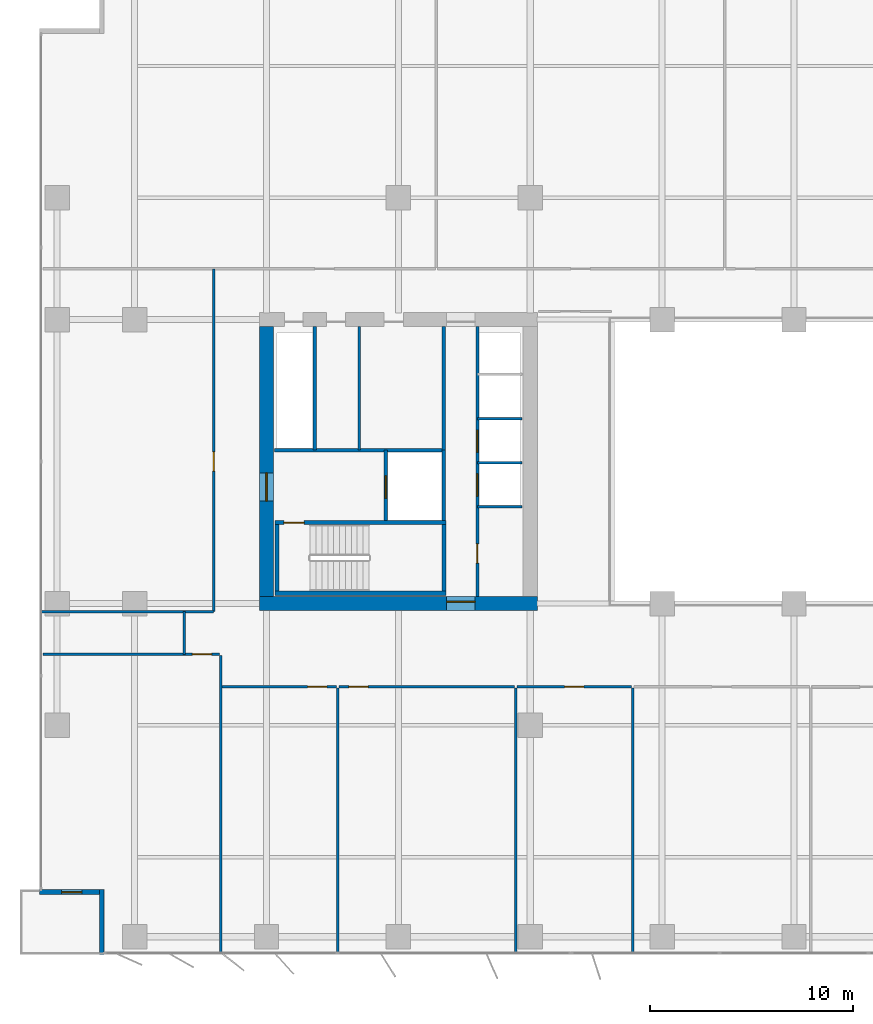
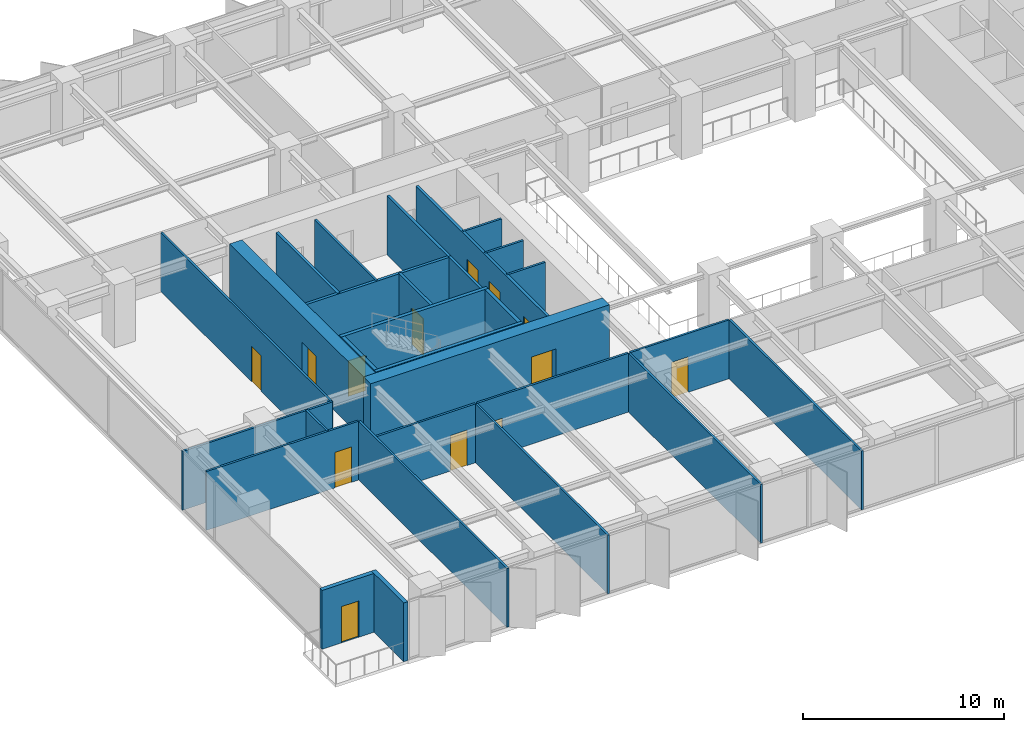
# One storey, part 13 of 20: 29 walls, 13 doors, 13 openings.
"""IFC4 building model written with IfcOpenShell, lengths in metres."""

from ifc_helpers import new_model, si_unit, direction, frame, frame_2d, origin, place, context, subcontext, project, spatial, rectangle, extrude, material, layer, layer_set, type_object, element, fill, save


model = new_model("IFC4")

# Units and contexts
model_context = context("Model", 3, precision=1e-05, world=origin(), true_north=direction((0.0, 1.0)))
body_context = subcontext(model_context, "Body", "Model", "MODEL_VIEW")
ifc_project = project(units=[si_unit("LENGTHUNIT", "METRE"), si_unit("AREAUNIT", "SQUARE_METRE"), si_unit("VOLUMEUNIT", "CUBIC_METRE"), si_unit("PLANEANGLEUNIT", "RADIAN"), si_unit("MASSUNIT", "GRAM", prefix="KILO")], contexts=[model_context])

# Site, building, storey
site_placement = place(None, origin())
site = spatial("IfcSite", under=ifc_project, at=site_placement, CompositionType="ELEMENT")
building_placement = place(site_placement, origin())
building = spatial("IfcBuilding", under=site, at=building_placement, Name="Putna Gate Headquarters", CompositionType="ELEMENT")
storey_placement = place(building_placement, frame((0.0, 0.0, 93.60009765625)))
storey = spatial("IfcBuildingStorey", under=building, at=storey_placement, Name="L22", CompositionType="ELEMENT", Elevation=93.60009765625)

# Wall, opening, door
ifc_material_1 = material(Name="Concrete C60/75", Category="concrete")
ifc_layer_1 = layer(ifc_material_1, 0.699951171875)
ifc_layer_set_1 = layer_set([ifc_layer_1], Name="Concrete C60/75")
wall_type_1 = type_object("IfcWallType", Name="WALL-CORE-700", PredefinedType="SHEAR", material=ifc_layer_set_1)
wall_1_placement = place(storey_placement, frame((12.64990234375, 19.0, 0.0), z_axis=(0.0, 0.0, 1.0), x_axis=(1.0, 0.0, 0.0)))
wall_1 = element("IfcWall", 1, at=wall_1_placement, inside=storey, type_object=wall_type_1, Name="L22 WC Split Core Shear Wall S", PredefinedType="SHEAR", context=body_context, shape_type="SweptSolid", body=[
    extrude(rectangle(XDim=13.7001953125, YDim=0.699951171875, at=frame_2d((6.85009765625, 0.0))), origin(), (0.0, 0.0, 1.0), 3.7998046875),
])
opening_1_placement = place(wall_1_placement, frame((9.22998046875, 0.0, 0.0)))
opening_1 = element("IfcOpeningElement", 2, at=opening_1_placement, cuts=wall_1, Name="Opening FDD-140", PredefinedType="OPENING", context=body_context, shape_type="SweptSolid", body=[
    extrude(rectangle(XDim=1.39990234375, YDim=2.199951171875, at=frame_2d((0.699951171875, 1.10009765625))), frame((0.0, 0.35986328125, 0.0), z_axis=(0.0, -1.0, 0.0), x_axis=(1.0, 0.0, 0.0)), (0.0, 0.0, 1.0), 0.719970703125),
])
ifc_material_2 = material(Name="Double steel fire door", Category="steel")
door_type_1 = type_object("IfcDoorType", Name="DOOR-FIRE-DBL-1400", OperationType="DOUBLE_DOOR_SINGLE_SWING", PredefinedType="DOOR", material=ifc_material_2)
door_1_placement = place(opening_1_placement, origin())
door_1 = element("IfcDoor", 3, at=door_1_placement, inside=storey, type_object=door_type_1, Name="L22 West Lift Lobby South Door", OperationType="DOUBLE_DOOR_SINGLE_SWING", OverallHeight=2.199951171875, OverallWidth=1.39990234375, PredefinedType="DOOR", context=body_context, shape_type="SweptSolid", body=[
    extrude(rectangle(XDim=1.39990234375, YDim=2.199951171875, at=frame_2d((0.699951171875, 1.10009765625))), frame((0.0, 0.125, 0.0), z_axis=(0.0, -1.0, 0.0), x_axis=(1.0, 0.0, 0.0)), (0.0, 0.0, 1.0), 0.050048828125),
])
fill(opening_1, door_1)

wall_2_placement = place(storey_placement, frame((13.0, 19.35009765625, 0.0), z_axis=(0.0, 0.0, 1.0), x_axis=(0.0, 1.0, 0.0)))
wall_2 = element("IfcWall", 4, at=wall_2_placement, inside=storey, type_object=wall_type_1, Name="L22 WC Split Core Shear Wall W", PredefinedType="SHEAR", context=body_context, shape_type="SweptSolid", body=[
    extrude(rectangle(XDim=13.2998046875, YDim=0.699951171875, at=frame_2d((6.64990234375, 0.0))), origin(), (0.0, 0.0, 1.0), 3.7998046875),
])
opening_2_placement = place(wall_2_placement, frame((4.699951171875, 0.0, 0.0)))
opening_2 = element("IfcOpeningElement", 5, at=opening_2_placement, cuts=wall_2, Name="Opening FDD-140", PredefinedType="OPENING", context=body_context, shape_type="SweptSolid", body=[
    extrude(rectangle(XDim=1.39990234375, YDim=2.199951171875, at=frame_2d((0.699951171875, 1.10009765625))), frame((0.0, 0.35986328125, 0.0), z_axis=(0.0, -1.0, 0.0), x_axis=(1.0, 0.0, 0.0)), (0.0, 0.0, 1.0), 0.719970703125),
])
door_2_placement = place(opening_2_placement, origin())
door_2 = element("IfcDoor", 6, at=door_2_placement, inside=storey, type_object=door_type_1, Name="L22 West Firefighting Lobby Door", OperationType="DOUBLE_DOOR_SINGLE_SWING", OverallHeight=2.199951171875, OverallWidth=1.39990234375, PredefinedType="DOOR", context=body_context, shape_type="SweptSolid", body=[
    extrude(rectangle(XDim=1.39990234375, YDim=2.199951171875, at=frame_2d((0.699951171875, 1.10009765625))), frame((0.0, 0.02490234375, 0.0), z_axis=(0.0, -1.0, 0.0), x_axis=(1.0, 0.0, 0.0)), (0.0, 0.0, 1.0), 0.050048828125),
])
fill(opening_2, door_2)

# Wall
ifc_material_3 = material(Name="Precast concrete C40/50", Category="concrete")
ifc_layer_2 = layer(ifc_material_3, 0.239990234375)
ifc_layer_set_2 = layer_set([ifc_layer_2], Name="Precast concrete C40/50")
wall_type_2 = type_object("IfcWallType", Name="WALL-EXT-TERR-240", PredefinedType="STANDARD", material=ifc_layer_set_2)
wall_3_placement = place(storey_placement, frame((4.8798828125, 1.699951171875, 0.0), z_axis=(0.0, 0.0, 1.0), x_axis=(0.0, 1.0, 0.0)))
element("IfcWall", 7, at=wall_3_placement, inside=storey, type_object=wall_type_2, Name="L22 Corner Notch Return Wall SW-V", PredefinedType="STANDARD", context=body_context, shape_type="SweptSolid", body=[
    extrude(rectangle(XDim=3.199951171875, YDim=0.239990234375, at=frame_2d((1.60009765625, 0.0))), origin(), (0.0, 0.0, 1.0), 3.56494140625),
])

# Wall, opening, door
wall_4_placement = place(storey_placement, frame((5.0, 4.780029296875, 0.0), z_axis=(0.0, 0.0, 1.0), x_axis=(-1.0, 0.0, 0.0)))
wall_4 = element("IfcWall", 8, at=wall_4_placement, inside=storey, type_object=wall_type_2, Name="L22 Corner Notch Return Wall SW-H", PredefinedType="STANDARD", context=body_context, shape_type="SweptSolid", body=[
    extrude(rectangle(XDim=3.199951171875, YDim=0.239990234375, at=frame_2d((1.60009765625, 0.0))), origin(), (0.0, 0.0, 1.0), 3.56494140625),
])
opening_3_placement = place(wall_4_placement, frame((1.10009765625, 0.0, 0.0)))
opening_3 = element("IfcOpeningElement", 9, at=opening_3_placement, cuts=wall_4, Name="Opening TRD-1", PredefinedType="OPENING", context=body_context, shape_type="SweptSolid", body=[
    extrude(rectangle(XDim=1.0, YDim=2.199951171875, at=frame_2d((0.5, 1.10009765625))), frame((0.0, 0.1298828125, 0.0), z_axis=(0.0, -1.0, 0.0), x_axis=(1.0, 0.0, 0.0)), (0.0, 0.0, 1.0), 0.260009765625),
])
ifc_material_4 = material(Name="Thermally broken bronze glazed terrace door")
door_type_2 = type_object("IfcDoorType", Name="DOOR-TERR-EXT-1000", OperationType="NOTDEFINED", PredefinedType="DOOR", material=ifc_material_4)
door_3_placement = place(opening_3_placement, origin())
door_3 = element("IfcDoor", 10, at=door_3_placement, inside=storey, type_object=door_type_2, Name="L22 Spiral Sky Terrace Door SW", OperationType="SINGLE_SWING_LEFT", OverallHeight=2.199951171875, OverallWidth=1.0, PredefinedType="DOOR", context=body_context, shape_type="SweptSolid", body=[
    extrude(rectangle(XDim=1.0, YDim=2.199951171875, at=frame_2d((0.5, 1.10009765625))), frame((0.0, 0.02490234375, 0.0), z_axis=(0.0, -1.0, 0.0), x_axis=(1.0, 0.0, 0.0)), (0.0, 0.0, 1.0), 0.050048828125),
])
fill(opening_3, door_3)

# Walls
ifc_material_5 = material(Name="Acoustic gypsum board on metal stud")
ifc_layer_3 = layer(ifc_material_5, 0.1201171875)
ifc_layer_set_3 = layer_set([ifc_layer_3], Name="Acoustic gypsum board on metal stud")
wall_type_3 = type_object("IfcWallType", Name="WALL-PART-120", PredefinedType="PARTITIONING", material=ifc_layer_set_3)
wall_5_placement = place(storey_placement, frame((10.746826171875, 1.719970703125, 0.0), z_axis=(0.0, 0.0, 1.0), x_axis=(0.0, 1.0, 0.0)))
element("IfcWall", 11, at=wall_5_placement, inside=storey, type_object=wall_type_3, Name="L22 Interior Wall PART-L22-SB-DIV-01", PredefinedType="PARTITIONING", context=body_context, shape_type="SweptSolid", body=[
    extrude(rectangle(XDim=14.719970703125, YDim=0.1201171875, at=frame_2d((7.35986328125, 0.0))), origin(), (0.0, 0.0, 1.0), 3.56494140625),
])
for number, where, z_axis, x_axis, name in (
    (12, (16.52001953125, 1.719970703125, 0.0), (0.0, 0.0, 1.0), (0.0, 1.0, 0.0), "L22 Interior Wall PART-L22-SB-DIV-02"),
    (13, (25.286865234375, 1.719970703125, 0.0), (0.0, 0.0, 1.0), (0.0, 1.0, 0.0), "L22 Interior Wall PART-L22-SB-DIV-03"),
    (14, (31.06005859375, 1.719970703125, 0.0), (0.0, 0.0, 1.0), (0.0, 1.0, 0.0), "L22 Interior Wall PART-L22-SB-DIV-04"),
):
    element("IfcWall", number, at=place(storey_placement, frame(where, z_axis=z_axis, x_axis=x_axis)), inside=storey, type_object=wall_type_3, Name=name, PredefinedType="PARTITIONING", context=body_context, shape_type="SweptSolid", body=[
        extrude(rectangle(XDim=13.1201171875, YDim=0.1201171875, at=frame_2d((6.56005859375, 0.0))), origin(), (0.0, 0.0, 1.0), 3.56494140625),
    ])
ifc_material_6 = material(Name="Fire-rated shaftwall gypsum board on metal stud")
ifc_layer_4 = layer(ifc_material_6, 0.1201171875)
ifc_layer_set_4 = layer_set([ifc_layer_4], Name="Fire-rated shaftwall gypsum board on metal stud")
wall_type_4 = type_object("IfcWallType", Name="WALL-PART-120-EI120", PredefinedType="PARTITIONING", material=ifc_layer_set_4)
for number, where, z_axis, x_axis, name in (
    (15, (23.39990234375, 25.949951171875, 0.0), (0.0, 0.0, 1.0), (1.0, 0.0, 0.0), "L22 Interior Wall CWINT-L22-WC-LF05-DIV"),
    (16, (23.39990234375, 28.1201171875, 0.0), (0.0, 0.0, 1.0), (1.0, 0.0, 0.0), "L22 Interior Wall CWINT-L22-WC-LF06-DIV"),
):
    element("IfcWall", number, at=place(storey_placement, frame(where, z_axis=z_axis, x_axis=x_axis)), inside=storey, type_object=wall_type_4, Name=name, PredefinedType="PARTITIONING", context=body_context, shape_type="SweptSolid", body=[
        extrude(rectangle(XDim=2.2001953125, YDim=0.1201171875, at=frame_2d((1.10009765625, 0.0))), origin(), (0.0, 0.0, 1.0), 3.56494140625),
    ])
ifc_material_7 = material(Name="Fire-rated gypsum board on metal stud")
ifc_layer_5 = layer(ifc_material_7, 0.1201171875)
ifc_layer_set_5 = layer_set([ifc_layer_5], Name="Fire-rated gypsum board on metal stud")
wall_type_5 = type_object("IfcWallType", Name="WALL-PART-120-RATED", PredefinedType="PARTITIONING", material=ifc_layer_set_5)
wall_6_placement = place(storey_placement, frame((17.570068359375, 26.56005859375, 0.0), z_axis=(0.0, 0.0, 1.0), x_axis=(0.0, 1.0, 0.0)))
element("IfcWall", 17, at=wall_6_placement, inside=storey, type_object=wall_type_5, Name="L22 Interior Wall CWINT-L22-WC-K1-DIV", PredefinedType="PARTITIONING", context=body_context, shape_type="SweptSolid", body=[
    extrude(rectangle(XDim=6.08984375, YDim=0.1201171875, at=frame_2d((3.044921875, 0.0))), origin(), (0.0, 0.0, 1.0), 3.56494140625),
])
wall_7_placement = place(storey_placement, frame((23.39990234375, 23.780029296875, 0.0), z_axis=(0.0, 0.0, 1.0), x_axis=(1.0, 0.0, 0.0)))
element("IfcWall", 18, at=wall_7_placement, inside=storey, type_object=wall_type_5, Name="L22 Interior Wall CWINT-L22-WC-LF02-DIV", PredefinedType="PARTITIONING", context=body_context, shape_type="SweptSolid", body=[
    extrude(rectangle(XDim=2.2001953125, YDim=0.1201171875, at=frame_2d((1.10009765625, 0.0))), origin(), (0.0, 0.0, 1.0), 3.56494140625),
])
wall_8_placement = place(storey_placement, frame((8.94677734375, 16.5, 0.0), z_axis=(0.0, 0.0, 1.0), x_axis=(0.0, 1.0, 0.0)))
element("IfcWall", 19, at=wall_8_placement, inside=storey, type_object=wall_type_5, Name="L22 Interior Wall PART-L22-CORRS-CAPW", PredefinedType="PARTITIONING", context=body_context, shape_type="SweptSolid", body=[
    extrude(rectangle(XDim=2.10009765625, YDim=0.1201171875, at=frame_2d((1.050048828125, 0.0))), origin(), (0.0, 0.0, 1.0), 3.56494140625),
])

# Wall, opening, door
wall_9_placement = place(storey_placement, frame((1.97998046875, 16.5, 0.0), z_axis=(0.0, 0.0, 1.0), x_axis=(1.0, 0.0, 0.0)))
wall_9 = element("IfcWall", 20, at=wall_9_placement, inside=storey, type_object=wall_type_5, Name="L22 Interior Wall PART-L22-SB-CW-01", PredefinedType="PARTITIONING", context=body_context, shape_type="SweptSolid", body=[
    extrude(rectangle(XDim=8.706787109375, YDim=0.1201171875, at=frame_2d((4.353515625, 0.0))), origin(), (0.0, 0.0, 1.0), 3.56494140625),
])
opening_4_placement = place(wall_9_placement, frame((7.36181640625, 0.0, 0.0)))
opening_4 = element("IfcOpeningElement", 21, at=opening_4_placement, cuts=wall_9, Name="Opening FD-95", PredefinedType="OPENING", context=body_context, shape_type="SweptSolid", body=[
    extrude(rectangle(XDim=0.949951171875, YDim=2.14990234375, at=frame_2d((0.47509765625, 1.074951171875))), frame((0.0, 0.070068359375, 0.0), z_axis=(0.0, -1.0, 0.0), x_axis=(1.0, 0.0, 0.0)), (0.0, 0.0, 1.0), 0.14013671875),
])
ifc_material_8 = material(Name="Acoustic timber fire door", Category="wood")
door_type_3 = type_object("IfcDoorType", Name="DOOR-FIRE-950", OperationType="NOTDEFINED", PredefinedType="DOOR", material=ifc_material_8)
door_4_placement = place(opening_4_placement, origin())
door_4 = element("IfcDoor", 22, at=door_4_placement, inside=storey, type_object=door_type_3, Name="L22 Quiet Wellness Focus Studio 2 Door", OperationType="SINGLE_SWING_LEFT", OverallHeight=2.14990234375, OverallWidth=0.949951171875, PredefinedType="DOOR", context=body_context, shape_type="SweptSolid", body=[
    extrude(rectangle(XDim=0.949951171875, YDim=2.14990234375, at=frame_2d((0.47509765625, 1.074951171875))), frame((0.0, 0.02490234375, 0.0), z_axis=(0.0, -1.0, 0.0), x_axis=(1.0, 0.0, 0.0)), (0.0, 0.0, 1.0), 0.050048828125),
])
fill(opening_4, door_4)

wall_10_placement = place(storey_placement, frame((10.806884765625, 14.89990234375, 0.0), z_axis=(0.0, 0.0, 1.0), x_axis=(1.0, 0.0, 0.0)))
wall_10 = element("IfcWall", 23, at=wall_10_placement, inside=storey, type_object=wall_type_5, Name="L22 Interior Wall PART-L22-SB-CW-02", PredefinedType="PARTITIONING", context=body_context, shape_type="SweptSolid", body=[
    extrude(rectangle(XDim=5.653076171875, YDim=0.1201171875, at=frame_2d((2.82666015625, 0.0))), origin(), (0.0, 0.0, 1.0), 3.56494140625),
])
opening_5_placement = place(wall_10_placement, frame((4.22314453125, 0.0, 0.0)))
opening_5 = element("IfcOpeningElement", 24, at=opening_5_placement, cuts=wall_10, Name="Opening FD-95", PredefinedType="OPENING", context=body_context, shape_type="SweptSolid", body=[
    extrude(rectangle(XDim=0.949951171875, YDim=2.14990234375, at=frame_2d((0.47509765625, 1.074951171875))), frame((0.0, 0.070068359375, 0.0), z_axis=(0.0, -1.0, 0.0), x_axis=(1.0, 0.0, 0.0)), (0.0, 0.0, 1.0), 0.14013671875),
])
door_5_placement = place(opening_5_placement, origin())
door_5 = element("IfcDoor", 25, at=door_5_placement, inside=storey, type_object=door_type_3, Name="L22 Cellular Office 3 Door", OperationType="SINGLE_SWING_RIGHT", OverallHeight=2.14990234375, OverallWidth=0.949951171875, PredefinedType="DOOR", context=body_context, shape_type="SweptSolid", body=[
    extrude(rectangle(XDim=0.949951171875, YDim=2.14990234375, at=frame_2d((0.47509765625, 1.074951171875))), frame((0.0, 0.02490234375, 0.0), z_axis=(0.0, -1.0, 0.0), x_axis=(1.0, 0.0, 0.0)), (0.0, 0.0, 1.0), 0.050048828125),
])
fill(opening_5, door_5)

wall_11_placement = place(storey_placement, frame((16.580078125, 14.89990234375, 0.0), z_axis=(0.0, 0.0, 1.0), x_axis=(1.0, 0.0, 0.0)))
wall_11 = element("IfcWall", 26, at=wall_11_placement, inside=storey, type_object=wall_type_5, Name="L22 Interior Wall PART-L22-SB-CW-03", PredefinedType="PARTITIONING", context=body_context, shape_type="SweptSolid", body=[
    extrude(rectangle(XDim=8.646728515625, YDim=0.1201171875, at=frame_2d((4.3232421875, 0.0))), origin(), (0.0, 0.0, 1.0), 3.56494140625),
])
opening_6_placement = place(wall_11_placement, frame((0.47998046875, 0.0, 0.0)))
opening_6 = element("IfcOpeningElement", 27, at=opening_6_placement, cuts=wall_11, Name="Opening FD-95", PredefinedType="OPENING", context=body_context, shape_type="SweptSolid", body=[
    extrude(rectangle(XDim=0.949951171875, YDim=2.14990234375, at=frame_2d((0.47509765625, 1.074951171875))), frame((0.0, 0.070068359375, 0.0), z_axis=(0.0, -1.0, 0.0), x_axis=(1.0, 0.0, 0.0)), (0.0, 0.0, 1.0), 0.14013671875),
])
door_6_placement = place(opening_6_placement, origin())
door_6 = element("IfcDoor", 28, at=door_6_placement, inside=storey, type_object=door_type_3, Name="L22 Conference Meeting Room 1 Door", OperationType="SINGLE_SWING_LEFT", OverallHeight=2.14990234375, OverallWidth=0.949951171875, PredefinedType="DOOR", context=body_context, shape_type="SweptSolid", body=[
    extrude(rectangle(XDim=0.949951171875, YDim=2.14990234375, at=frame_2d((0.47509765625, 1.074951171875))), frame((0.0, 0.02490234375, 0.0), z_axis=(0.0, -1.0, 0.0), x_axis=(1.0, 0.0, 0.0)), (0.0, 0.0, 1.0), 0.050048828125),
])
fill(opening_6, door_6)

wall_12_placement = place(storey_placement, frame((25.3466796875, 14.89990234375, 0.0), z_axis=(0.0, 0.0, 1.0), x_axis=(1.0, 0.0, 0.0)))
wall_12 = element("IfcWall", 29, at=wall_12_placement, inside=storey, type_object=wall_type_5, Name="L22 Interior Wall PART-L22-SB-CW-04", PredefinedType="PARTITIONING", context=body_context, shape_type="SweptSolid", body=[
    extrude(rectangle(XDim=5.6533203125, YDim=0.1201171875, at=frame_2d((2.82666015625, 0.0))), origin(), (0.0, 0.0, 1.0), 3.56494140625),
])
opening_7_placement = place(wall_12_placement, frame((2.3515625, 0.0, 0.0)))
opening_7 = element("IfcOpeningElement", 30, at=opening_7_placement, cuts=wall_12, Name="Opening FD-95", PredefinedType="OPENING", context=body_context, shape_type="SweptSolid", body=[
    extrude(rectangle(XDim=0.949951171875, YDim=2.14990234375, at=frame_2d((0.47509765625, 1.074951171875))), frame((0.0, 0.070068359375, 0.0), z_axis=(0.0, -1.0, 0.0), x_axis=(1.0, 0.0, 0.0)), (0.0, 0.0, 1.0), 0.14013671875),
])
door_7_placement = place(opening_7_placement, origin())
door_7 = element("IfcDoor", 31, at=door_7_placement, inside=storey, type_object=door_type_3, Name="L22 Conference Meeting Room 2 Door", OperationType="SINGLE_SWING_RIGHT", OverallHeight=2.14990234375, OverallWidth=0.949951171875, PredefinedType="DOOR", context=body_context, shape_type="SweptSolid", body=[
    extrude(rectangle(XDim=0.949951171875, YDim=2.14990234375, at=frame_2d((0.47509765625, 1.074951171875))), frame((0.0, 0.02490234375, 0.0), z_axis=(0.0, -1.0, 0.0), x_axis=(1.0, 0.0, 0.0)), (0.0, 0.0, 1.0), 0.050048828125),
])
fill(opening_7, door_7)

# Wall
wall_13_placement = place(storey_placement, frame((1.820068359375, 18.60009765625, 0.0), z_axis=(0.0, 0.0, 1.0), x_axis=(1.0, 0.0, 0.0)))
element("IfcWall", 32, at=wall_13_placement, inside=storey, type_object=wall_type_5, Name="L22 Interior Wall PART-L22-WW-S-BOUND", PredefinedType="PARTITIONING", context=body_context, shape_type="SweptSolid", body=[
    extrude(rectangle(XDim=8.579833984375, YDim=0.1201171875, at=frame_2d((4.2900390625, 0.0))), origin(), (0.0, 0.0, 1.0), 3.56494140625),
])

# Wall, opening, door
wall_14_placement = place(storey_placement, frame((10.39990234375, 18.60009765625, 0.0), z_axis=(0.0, 0.0, 1.0), x_axis=(0.0, 1.0, 0.0)))
wall_14 = element("IfcWall", 33, at=wall_14_placement, inside=storey, type_object=wall_type_5, Name="L22 Interior Wall PART-L22-WW-CW-1", PredefinedType="PARTITIONING", context=body_context, shape_type="SweptSolid", body=[
    extrude(rectangle(XDim=16.89990234375, YDim=0.1201171875, at=frame_2d((8.449951171875, 0.0))), origin(), (0.0, 0.0, 1.0), 3.56494140625),
])
opening_8_placement = place(wall_14_placement, frame((6.925048828125, 0.0, 0.0)))
opening_8 = element("IfcOpeningElement", 34, at=opening_8_placement, cuts=wall_14, Name="Opening FD-95", PredefinedType="OPENING", context=body_context, shape_type="SweptSolid", body=[
    extrude(rectangle(XDim=0.949951171875, YDim=2.14990234375, at=frame_2d((0.47509765625, 1.074951171875))), frame((0.0, 0.070068359375, 0.0), z_axis=(0.0, -1.0, 0.0), x_axis=(1.0, 0.0, 0.0)), (0.0, 0.0, 1.0), 0.14013671875),
])
door_8_placement = place(opening_8_placement, origin())
door_8 = element("IfcDoor", 35, at=door_8_placement, inside=storey, type_object=door_type_3, Name="L22 West Project Meeting Room 1 Door", OperationType="SINGLE_SWING_LEFT", OverallHeight=2.14990234375, OverallWidth=0.949951171875, PredefinedType="DOOR", context=body_context, shape_type="SweptSolid", body=[
    extrude(rectangle(XDim=0.949951171875, YDim=2.14990234375, at=frame_2d((0.47509765625, 1.074951171875))), frame((0.0, 0.02490234375, 0.0), z_axis=(0.0, -1.0, 0.0), x_axis=(1.0, 0.0, 0.0)), (0.0, 0.0, 1.0), 0.050048828125),
])
fill(opening_8, door_8)

# Wall
ifc_material_9 = material(Name="Concrete C40/50", Category="concrete")
ifc_layer_6 = layer(ifc_material_9, 0.159912109375)
ifc_layer_set_6 = layer_set([ifc_layer_6], Name="Concrete C40/50")
wall_type_6 = type_object("IfcWallType", Name="WALL-SHAFT-160", PredefinedType="STANDARD", material=ifc_layer_set_6)
wall_15_placement = place(storey_placement, frame((21.739990234375, 23.090087890625, 0.0), z_axis=(0.0, 0.0, 1.0), x_axis=(0.0, 1.0, 0.0)))
element("IfcWall", 36, at=wall_15_placement, inside=storey, type_object=wall_type_6, Name="L22 Interior Wall CWINT-L22-WC-FFL-E", PredefinedType="STANDARD", context=body_context, shape_type="SweptSolid", body=[
    extrude(rectangle(XDim=3.469970703125, YDim=0.159912109375, at=frame_2d((1.73486328125, 0.0))), origin(), (0.0, 0.0, 1.0), 3.56494140625),
])

# Wall, opening, door
wall_16_placement = place(storey_placement, frame((18.8798828125, 23.090087890625, 0.0), z_axis=(0.0, 0.0, 1.0), x_axis=(0.0, 1.0, 0.0)))
wall_16 = element("IfcWall", 37, at=wall_16_placement, inside=storey, type_object=wall_type_6, Name="L22 Interior Wall CWINT-L22-WC-LF13-W", PredefinedType="STANDARD", context=body_context, shape_type="SweptSolid", body=[
    extrude(rectangle(XDim=3.469970703125, YDim=0.159912109375, at=frame_2d((1.73486328125, 0.0))), origin(), (0.0, 0.0, 1.0), 3.56494140625),
])
opening_9_placement = place(wall_16_placement, frame((1.10009765625, 0.0, 0.0)))
opening_9 = element("IfcOpeningElement", 38, at=opening_9_placement, cuts=wall_16, Name="Opening LD-1", PredefinedType="OPENING", context=body_context, shape_type="SweptSolid", body=[
    extrude(rectangle(XDim=1.10009765625, YDim=2.199951171875, at=frame_2d((0.550048828125, 1.10009765625))), frame((0.0, 0.08984375, 0.0), z_axis=(0.0, -1.0, 0.0), x_axis=(1.0, 0.0, 0.0)), (0.0, 0.0, 1.0), 0.179931640625),
])
ifc_material_10 = material(Name="Brushed bronze stainless lift landing door")
door_type_4 = type_object("IfcDoorType", Name="DOOR-LIFT-1100", OperationType="DOUBLE_DOOR_SLIDING", PredefinedType="DOOR", material=ifc_material_10)
door_9_placement = place(opening_9_placement, origin())
door_9 = element("IfcDoor", 39, at=door_9_placement, inside=storey, type_object=door_type_4, Name="L22 Lift Landing Door LD-13", OperationType="DOUBLE_DOOR_SLIDING", OverallHeight=2.199951171875, OverallWidth=1.10009765625, PredefinedType="DOOR", context=body_context, shape_type="SweptSolid", body=[
    extrude(rectangle(XDim=1.10009765625, YDim=2.199951171875, at=frame_2d((0.550048828125, 1.10009765625))), frame((0.0, 0.02490234375, 0.0), z_axis=(0.0, -1.0, 0.0), x_axis=(1.0, 0.0, 0.0)), (0.0, 0.0, 1.0), 0.050048828125),
])
fill(opening_9, door_9)

# Walls
wall_17_placement = place(storey_placement, frame((13.39990234375, 26.56005859375, 0.0), z_axis=(0.0, 0.0, 1.0), x_axis=(1.0, 0.0, 0.0)))
element("IfcWall", 40, at=wall_17_placement, inside=storey, type_object=wall_type_6, Name="L22 Interior Wall CWINT-L22-WC-FFL-N", PredefinedType="STANDARD", context=body_context, shape_type="SweptSolid", body=[
    extrude(rectangle(XDim=8.340087890625, YDim=0.159912109375, at=frame_2d((4.169921875, 0.0))), origin(), (0.0, 0.0, 1.0), 3.56494140625),
])
for number, where, z_axis, x_axis, name in (
    (41, (15.3798828125, 26.56005859375, 0.0), (0.0, 0.0, 1.0), (0.0, 1.0, 0.0), "L22 Interior Wall CWINT-L22-WC-RISER-E"),
    (42, (21.739990234375, 26.56005859375, 0.0), (0.0, 0.0, 1.0), (0.0, 1.0, 0.0), "L22 Interior Wall CWINT-L22-WC-LOB-W"),
):
    element("IfcWall", number, at=place(storey_placement, frame(where, z_axis=z_axis, x_axis=x_axis)), inside=storey, type_object=wall_type_6, Name=name, PredefinedType="STANDARD", context=body_context, shape_type="SweptSolid", body=[
        extrude(rectangle(XDim=6.08984375, YDim=0.159912109375, at=frame_2d((3.044921875, 0.0))), origin(), (0.0, 0.0, 1.0), 3.56494140625),
    ])

# Wall, openings, doors
wall_18_placement = place(storey_placement, frame((23.39990234375, 19.35009765625, 0.0), z_axis=(0.0, 0.0, 1.0), x_axis=(0.0, 1.0, 0.0)))
wall_18 = element("IfcWall", 43, at=wall_18_placement, inside=storey, type_object=wall_type_6, Name="L22 Interior Wall CWINT-L22-WC-PL-WALL", PredefinedType="STANDARD", context=body_context, shape_type="SweptSolid", body=[
    extrude(rectangle(XDim=13.2998046875, YDim=0.159912109375, at=frame_2d((6.64990234375, 0.0))), origin(), (0.0, 0.0, 1.0), 3.56494140625),
])
opening_10_placement = place(wall_18_placement, frame((1.64990234375, 0.0, 0.0)))
opening_10 = element("IfcOpeningElement", 44, at=opening_10_placement, cuts=wall_18, Name="Opening IDS-95", PredefinedType="OPENING", context=body_context, shape_type="SweptSolid", body=[
    extrude(rectangle(XDim=0.949951171875, YDim=2.14990234375, at=frame_2d((0.47509765625, 1.074951171875))), frame((0.0, 0.08984375, 0.0), z_axis=(0.0, -1.0, 0.0), x_axis=(1.0, 0.0, 0.0)), (0.0, 0.0, 1.0), 0.179931640625),
])
opening_11_placement = place(wall_18_placement, frame((4.949951171875, 0.0, 0.0)))
opening_11 = element("IfcOpeningElement", 45, at=opening_11_placement, cuts=wall_18, Name="Opening LD-1", PredefinedType="OPENING", context=body_context, shape_type="SweptSolid", body=[
    extrude(rectangle(XDim=1.10009765625, YDim=2.199951171875, at=frame_2d((0.550048828125, 1.10009765625))), frame((0.0, 0.08984375, 0.0), z_axis=(0.0, -1.0, 0.0), x_axis=(1.0, 0.0, 0.0)), (0.0, 0.0, 1.0), 0.179931640625),
])
opening_12_placement = place(wall_18_placement, frame((7.10009765625, 0.0, 0.0)))
opening_12 = element("IfcOpeningElement", 46, at=opening_12_placement, cuts=wall_18, Name="Opening LD-1", PredefinedType="OPENING", context=body_context, shape_type="SweptSolid", body=[
    extrude(rectangle(XDim=1.10009765625, YDim=2.199951171875, at=frame_2d((0.550048828125, 1.10009765625))), frame((0.0, 0.08984375, 0.0), z_axis=(0.0, -1.0, 0.0), x_axis=(1.0, 0.0, 0.0)), (0.0, 0.0, 1.0), 0.179931640625),
])
ifc_material_11 = material(Name="Fire-rated service timber door", Category="wood")
door_type_5 = type_object("IfcDoorType", Name="DOOR-INT-950", OperationType="NOTDEFINED", PredefinedType="DOOR", material=ifc_material_11)
door_10_placement = place(opening_10_placement, origin())
door_10 = element("IfcDoor", 47, at=door_10_placement, inside=storey, type_object=door_type_5, Name="L22 Document Archive Door", OperationType="SINGLE_SWING_LEFT", OverallHeight=2.14990234375, OverallWidth=0.949951171875, PredefinedType="DOOR", context=body_context, shape_type="SweptSolid", body=[
    extrude(rectangle(XDim=0.949951171875, YDim=2.14990234375, at=frame_2d((0.47509765625, 1.074951171875))), frame((0.0, 0.02490234375, 0.0), z_axis=(0.0, -1.0, 0.0), x_axis=(1.0, 0.0, 0.0)), (0.0, 0.0, 1.0), 0.050048828125),
])
fill(opening_10, door_10)
door_11_placement = place(opening_11_placement, origin())
door_11 = element("IfcDoor", 48, at=door_11_placement, inside=storey, type_object=door_type_4, Name="L22 Lift Landing Door LD-05", OperationType="DOUBLE_DOOR_SLIDING", OverallHeight=2.199951171875, OverallWidth=1.10009765625, PredefinedType="DOOR", context=body_context, shape_type="SweptSolid", body=[
    extrude(rectangle(XDim=1.10009765625, YDim=2.199951171875, at=frame_2d((0.550048828125, 1.10009765625))), frame((0.0, 0.02490234375, 0.0), z_axis=(0.0, -1.0, 0.0), x_axis=(1.0, 0.0, 0.0)), (0.0, 0.0, 1.0), 0.050048828125),
])
fill(opening_11, door_11)
door_12_placement = place(opening_12_placement, origin())
door_12 = element("IfcDoor", 49, at=door_12_placement, inside=storey, type_object=door_type_4, Name="L22 Lift Landing Door LD-06", OperationType="DOUBLE_DOOR_SLIDING", OverallHeight=2.199951171875, OverallWidth=1.10009765625, PredefinedType="DOOR", context=body_context, shape_type="SweptSolid", body=[
    extrude(rectangle(XDim=1.10009765625, YDim=2.199951171875, at=frame_2d((0.550048828125, 1.10009765625))), frame((0.0, 0.02490234375, 0.0), z_axis=(0.0, -1.0, 0.0), x_axis=(1.0, 0.0, 0.0)), (0.0, 0.0, 1.0), 0.050048828125),
])
fill(opening_12, door_12)

# Wall
ifc_layer_7 = layer(ifc_material_9, 0.199951171875)
ifc_layer_set_7 = layer_set([ifc_layer_7], Name="Concrete C40/50")
wall_type_7 = type_object("IfcWallType", Name="WALL-SHAFT-RC200", PredefinedType="SHEAR", material=ifc_layer_set_7)
wall_19_placement = place(storey_placement, frame((13.409912109375, 19.510009765625, 0.0), z_axis=(0.0, 0.0, 1.0), x_axis=(1.0, 0.0, 0.0)))
element("IfcWall", 50, at=wall_19_placement, inside=storey, type_object=wall_type_7, Name="L22 Stair ST1 Structural Shaft Wall S", PredefinedType="SHEAR", context=body_context, shape_type="SweptSolid", body=[
    extrude(rectangle(XDim=8.43017578125, YDim=0.199951171875, at=frame_2d((4.215087890625, 0.0))), origin(), (0.0, 0.0, 1.0), 3.7998046875),
])

# Wall, opening, door
wall_20_placement = place(storey_placement, frame((13.409912109375, 22.989990234375, 0.0), z_axis=(0.0, 0.0, 1.0), x_axis=(1.0, 0.0, 0.0)))
wall_20 = element("IfcWall", 51, at=wall_20_placement, inside=storey, type_object=wall_type_7, Name="L22 Stair ST1 Structural Shaft Wall N", PredefinedType="SHEAR", context=body_context, shape_type="SweptSolid", body=[
    extrude(rectangle(XDim=8.43017578125, YDim=0.199951171875, at=frame_2d((4.215087890625, 0.0))), origin(), (0.0, 0.0, 1.0), 3.7998046875),
])
opening_13_placement = place(wall_20_placement, frame((0.449951171875, 0.0, 0.0)))
opening_13 = element("IfcOpeningElement", 52, at=opening_13_placement, cuts=wall_20, Name="Opening FD-100", PredefinedType="OPENING", context=body_context, shape_type="SweptSolid", body=[
    extrude(rectangle(XDim=1.0, YDim=2.14990234375, at=frame_2d((0.5, 1.074951171875))), frame((0.0, 0.10986328125, 0.0), z_axis=(0.0, -1.0, 0.0), x_axis=(1.0, 0.0, 0.0)), (0.0, 0.0, 1.0), 0.219970703125),
])
ifc_material_12 = material(Name="Powder-coated steel fire door", Category="steel")
door_type_6 = type_object("IfcDoorType", Name="DOOR-FIRE-1000", OperationType="NOTDEFINED", PredefinedType="DOOR", material=ifc_material_12)
door_13_placement = place(opening_13_placement, origin())
door_13 = element("IfcDoor", 53, at=door_13_placement, inside=storey, type_object=door_type_6, Name="L22 Stair ST1 Fire Door", OperationType="SINGLE_SWING_LEFT", OverallHeight=2.14990234375, OverallWidth=1.0, PredefinedType="DOOR", context=body_context, shape_type="SweptSolid", body=[
    extrude(rectangle(XDim=1.0, YDim=2.14990234375, at=frame_2d((0.5, 1.074951171875))), frame((0.0, 0.02490234375, 0.0), z_axis=(0.0, -1.0, 0.0), x_axis=(1.0, 0.0, 0.0)), (0.0, 0.0, 1.0), 0.050048828125),
])
fill(opening_13, door_13)

# Walls
for number, where, z_axis, x_axis, name in (
    (54, (13.510009765625, 19.610107421875, 0.0), (0.0, 0.0, 1.0), (0.0, 1.0, 0.0), "L22 Stair ST1 Structural Shaft Wall W"),
    (55, (21.739990234375, 19.610107421875, 0.0), (0.0, 0.0, 1.0), (0.0, 1.0, 0.0), "L22 Stair ST1 Structural Shaft Wall E"),
):
    element("IfcWall", number, at=place(storey_placement, frame(where, z_axis=z_axis, x_axis=x_axis)), inside=storey, type_object=wall_type_7, Name=name, PredefinedType="SHEAR", context=body_context, shape_type="SweptSolid", body=[
        extrude(rectangle(XDim=3.27978515625, YDim=0.199951171875, at=frame_2d((1.639892578125, 0.0))), origin(), (0.0, 0.0, 1.0), 3.7998046875),
    ])

save(model, "model.ifc")
